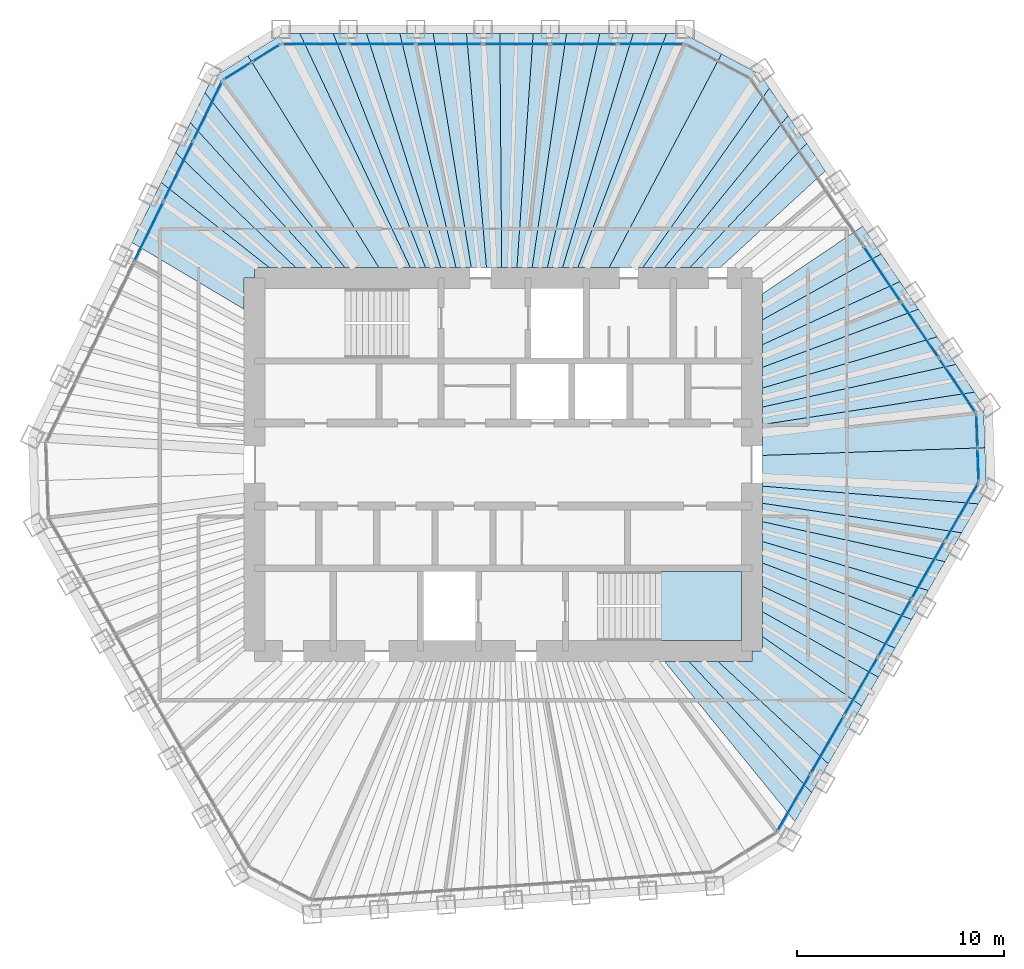
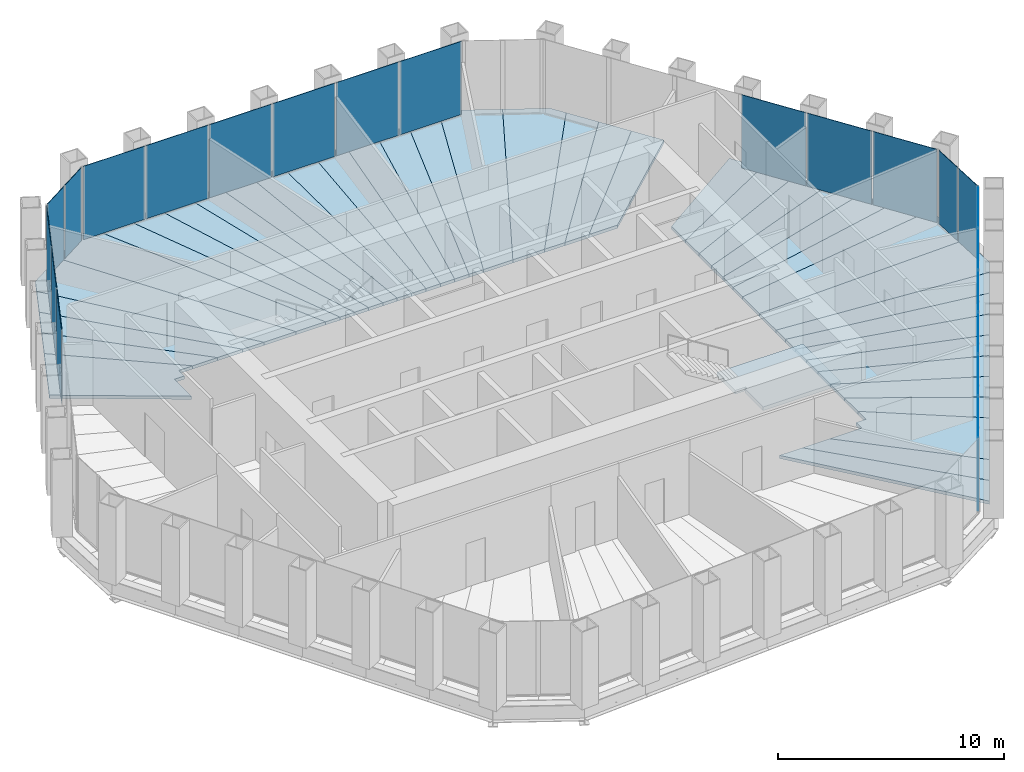
# One storey, part 10 of 14: 41 slabs, 22 plates, 7 elements without a shape of their own.
"""IFC4 building model written with IfcOpenShell, lengths in metres."""

import ifcopenshell
import ifcopenshell.guid

model = None  # the IFC model being written
_history = None  # IfcOwnerHistory: only IFC2X3 demands one
_inside = {}  # id of a spatial element -> (the spatial element, [elements in it])
_under = {}  # id of a project, library or spatial element -> (it, [spatial elements below it])
_declared = {}  # id of a project -> (the project, [libraries it declares])
_typed = {}  # id of a type object -> (the type object, [elements of that type])
_made_of = {}  # id of a material, layer set ... -> (it, [elements and type objects made of it])


def new_model(schema):
    """Start an empty IFC model of exactly this schema.

    Asked for "IFC4X3", IfcOpenShell would pick the latest addendum, in which some entities
    have other attributes; the version numbers below select the first issue.
    IFC2X3 requires an IfcOwnerHistory on every rooted entity: one is made here for all.
    """
    global model, _history
    if schema == "IFC4X3":
        model = ifcopenshell.file(schema_version=(4, 3, 0, 0))
    else:
        model = ifcopenshell.file(schema=schema)
    _inside.clear()
    _under.clear()
    _declared.clear()
    _typed.clear()
    _made_of.clear()
    _history = None
    if model.schema == "IFC2X3":
        org = make("IfcOrganization", Name="unknown")
        user = make(
            "IfcPersonAndOrganization",
            ThePerson=make("IfcPerson", FamilyName="unknown"),
            TheOrganization=org,
        )
        app = make(
            "IfcApplication",
            ApplicationDeveloper=org,
            Version="unknown",
            ApplicationFullName="unknown",
            ApplicationIdentifier="unknown",
        )
        _history = make(
            "IfcOwnerHistory",
            OwningUser=user,
            OwningApplication=app,
            ChangeAction="ADDED",
            CreationDate=0,
        )
    return model


def make(cls, **values):
    """One entity of the class cls with the attributes given. An attribute that is None is left unset."""
    return model.create_entity(
        cls, **{name: value for name, value in values.items() if value is not None}
    )


def rooted(cls, **values):
    """An entity with a GlobalId (a new one), such as an element, a storey or a relation."""
    return make(cls, GlobalId=ifcopenshell.guid.new(), OwnerHistory=_history, **values)


def si_unit(unit_type, name, prefix=None):
    """IfcSIUnit, for example si_unit("LENGTHUNIT", "METRE", prefix="MILLI")."""
    return make("IfcSIUnit", UnitType=unit_type, Prefix=prefix, Name=name)


def assignment(units):
    """IfcUnitAssignment: the units of a project."""
    return None if units is None else make("IfcUnitAssignment", Units=units)


def point(xyz):
    """IfcCartesianPoint."""
    return None if xyz is None else make("IfcCartesianPoint", Coordinates=xyz)


def direction(xyz):
    """IfcDirection."""
    return None if xyz is None else make("IfcDirection", DirectionRatios=xyz)


def frame(location, z_axis=None, x_axis=None):
    """IfcAxis2Placement3D, a coordinate frame: its origin and axes. An axis left out is left unset."""
    return make(
        "IfcAxis2Placement3D",
        Location=point(location),
        Axis=direction(z_axis),
        RefDirection=direction(x_axis),
    )


def frame_2d(location, x_axis=None):
    """IfcAxis2Placement2D, a coordinate frame in the plane: its origin and x axis."""
    return make(
        "IfcAxis2Placement2D", Location=point(location), RefDirection=direction(x_axis)
    )


def origin():
    """The frame at (0, 0, 0) with its axes left unset."""
    return frame((0.0, 0.0, 0.0))


def origin_2d():
    """The frame at (0, 0) in the plane with its x axis left unset."""
    return frame_2d((0.0, 0.0))


def place(relative_to, where):
    """IfcLocalPlacement: puts the frame where relative to a parent placement (None: the world)."""
    return make(
        "IfcLocalPlacement", PlacementRelTo=relative_to, RelativePlacement=where
    )


def context(
    kind, dimensions, precision=None, world=None, true_north=None, identifier=None
):
    """IfcGeometricRepresentationContext, for example the 3D "Model" context."""
    return make(
        "IfcGeometricRepresentationContext",
        ContextIdentifier=identifier,
        ContextType=kind,
        CoordinateSpaceDimension=dimensions,
        Precision=precision,
        WorldCoordinateSystem=world,
        TrueNorth=true_north,
    )


def subcontext(parent, identifier, kind, view, scale=None):
    """IfcGeometricRepresentationSubContext, for example "Body" below "Model"."""
    return make(
        "IfcGeometricRepresentationSubContext",
        ContextIdentifier=identifier,
        ContextType=kind,
        ParentContext=parent,
        TargetScale=scale,
        TargetView=view,
    )


def project(units=None, contexts=None):
    """IfcProject with its units and contexts."""
    return rooted(
        "IfcProject",
        Name="project",
        RepresentationContexts=contexts,
        UnitsInContext=assignment(units),
    )


def spatial(cls, under=None, at=None, **own):
    """A site, building, storey or space (cls), placed at a placement, below another one or the project."""
    s = rooted(cls, ObjectPlacement=at, **own)
    if under is not None:
        _under.setdefault(under.id(), (under, []))[1].append(s)
    return s


def polyline(points):
    """IfcPolyline through the points."""
    return make("IfcPolyline", Points=[point(p) for p in points])


def profile(cls, at=None, kind="AREA", **sizes):
    """A parametric profile (cls). Its sizes go by their IFC names, for example OverallWidth=200.0."""
    return make(cls, ProfileType=kind, Position=at, **sizes)


def rectangle(**sizes):
    """IfcRectangleProfileDef."""
    return profile("IfcRectangleProfileDef", **sizes)


def outline(outer, holes=None, kind="AREA"):
    """IfcArbitraryClosedProfileDef: a profile drawn as a closed curve; with holes, ...WithVoids."""
    if holes is None:
        return make("IfcArbitraryClosedProfileDef", ProfileType=kind, OuterCurve=outer)
    return make(
        "IfcArbitraryProfileDefWithVoids",
        ProfileType=kind,
        OuterCurve=outer,
        InnerCurves=holes,
    )


def extrude(swept, where, along, depth):
    """IfcExtrudedAreaSolid: the profile swept, set in the frame where, extruded along a direction by depth."""
    return make(
        "IfcExtrudedAreaSolid",
        SweptArea=swept,
        Position=where,
        ExtrudedDirection=direction(along),
        Depth=depth,
    )


def shape(context_of_items, identifier, shape_type, items):
    """IfcShapeRepresentation: the items that make up one representation, for example the "Body"."""
    return make(
        "IfcShapeRepresentation",
        ContextOfItems=context_of_items,
        RepresentationIdentifier=identifier,
        RepresentationType=shape_type,
        Items=items,
    )


def material(Name=None, Category=None):
    """IfcMaterial."""
    return make("IfcMaterial", Name=Name, Category=Category)


def layer(
    of_material, thickness, ventilated=None, Name=None, Category=None, Priority=None
):
    """IfcMaterialLayer: one layer of a wall or slab, of a material (None: an air gap)."""
    return make(
        "IfcMaterialLayer",
        Material=of_material,
        LayerThickness=thickness,
        IsVentilated=ventilated,
        Name=Name,
        Category=Category,
        Priority=Priority,
    )


def layer_set(layers, Name=None):
    """IfcMaterialLayerSet."""
    return make("IfcMaterialLayerSet", MaterialLayers=layers, LayerSetName=Name)


def made_of(thing, what):
    """Note that an element or type object is made of a material, layer set ...; save() writes the relation."""
    if what is not None:
        _made_of.setdefault(what.id(), (what, []))[1].append(thing)
    return thing


def type_object(cls, material=None, **own):
    """A type object (cls), such as IfcWallType, which elements share."""
    return made_of(rooted(cls, **own), material)


def element(
    cls,
    number,
    at=None,
    inside=None,
    cuts=None,
    type_object=None,
    material=None,
    context=None,
    identifier="Body",
    shape_type=None,
    held_by="IfcProductDefinitionShape",
    body=None,
    shapes=None,
    **own,
):
    """One element of the class cls, such as IfcWall. Its Tag is "e" and its number.

    at: its placement. inside: the storey or other place that contains it. cuts: it is an
    opening in that element (IfcRelVoidsElement). A single representation is given by context,
    identifier, shape_type and body (its items); several are given by shapes. held_by: the class
    of the entity that holds the representations. save() writes the other relations.
    """
    e = rooted(cls, Tag="e%d" % number, ObjectPlacement=at, **own)
    if body is not None:
        shapes = [shape(context, identifier, shape_type, body)]
    if shapes is not None:
        e.Representation = make(held_by, Representations=shapes)
    if inside is not None:
        _inside.setdefault(inside.id(), (inside, []))[1].append(e)
    if cuts is not None:
        rooted(
            "IfcRelVoidsElement", RelatingBuildingElement=cuts, RelatedOpeningElement=e
        )
    if type_object is not None:
        _typed.setdefault(type_object.id(), (type_object, []))[1].append(e)
    return made_of(e, material)


def aggregate(whole, parts):
    """IfcRelAggregates: a whole, such as a stair, and the parts it consists of."""
    return rooted("IfcRelAggregates", RelatingObject=whole, RelatedObjects=parts)


def save(model, path):
    """Write the relations noted so far, then the file.

    IfcRelAggregates (storeys below a building ...), IfcRelContainedInSpatialStructure (elements
    in a storey), IfcRelDefinesByType, IfcRelAssociatesMaterial and IfcRelDeclares: one each for
    every whole, place, type object, material and project.
    """
    for whole, parts in _under.values():
        aggregate(whole, parts)
    for where, things in _inside.values():
        rooted(
            "IfcRelContainedInSpatialStructure",
            RelatedElements=things,
            RelatingStructure=where,
        )
    for kind, things in _typed.values():
        rooted("IfcRelDefinesByType", RelatedObjects=things, RelatingType=kind)
    for what, things in _made_of.values():
        rooted("IfcRelAssociatesMaterial", RelatedObjects=things, RelatingMaterial=what)
    for by, libraries in _declared.values():
        rooted("IfcRelDeclares", RelatingContext=by, RelatedDefinitions=libraries)
    model.write(path)


model = new_model("IFC4")

# Units and contexts
model_context = context("Model", 3, precision=1e-05, world=origin(), true_north=direction((0.0, 1.0)))
body_context = subcontext(model_context, "Body", "Model", "MODEL_VIEW")
ifc_project = project(units=[si_unit("LENGTHUNIT", "METRE"), si_unit("AREAUNIT", "SQUARE_METRE"), si_unit("VOLUMEUNIT", "CUBIC_METRE"), si_unit("PLANEANGLEUNIT", "RADIAN"), si_unit("MASSUNIT", "GRAM", prefix="KILO")], contexts=[model_context])

# Site, building, storey
site_placement = place(None, origin())
site = spatial("IfcSite", under=ifc_project, at=site_placement, CompositionType="ELEMENT")
building_placement = place(site_placement, origin())
building = spatial("IfcBuilding", under=site, at=building_placement, Name="Qingtian Harvest Tower", CompositionType="ELEMENT")
storey_placement = place(building_placement, frame((0.0, 0.0, 278.800048828125)))
storey = spatial("IfcBuildingStorey", under=building, at=storey_placement, Name="L61", CompositionType="ELEMENT", Elevation=278.800048828125)

# Slabs
ifc_material_1 = material(Name="Concrete fc' 35 MPa", Category="concrete")
ifc_layer_1 = layer(ifc_material_1, 0.169921875)
ifc_layer_set_1 = layer_set([ifc_layer_1], Name="Composite floor slab FS17 170")
slab_type_1 = type_object("IfcSlabType", Name="Composite floor slab FS17 170", PredefinedType="FLOOR", material=ifc_layer_set_1)
slab_1_placement = place(storey_placement, frame((0.0, 0.0, -0.170166015625)))
element("IfcSlab", 1, at=slab_1_placement, inside=storey, type_object=slab_type_1, Name="Floor slab L61 panel D28", PredefinedType="FLOOR", context=body_context, shape_type="SweptSolid", body=[
    extrude(outline(polyline([(8.957275390625, -9.5), (14.88232421875, -15.8330078125), (14.077880859375, -17.2265625), (7.78515625, -9.5), (8.957275390625, -9.5)])), origin(), (0.0, 0.0, 1.0), 0.170166015625),
])
slab_2_placement = place(storey_placement, frame((0.0, 0.0, -0.170166015625)))
element("IfcSlab", 2, at=slab_2_placement, inside=storey, type_object=slab_type_1, Name="Floor slab L61 panel D29", PredefinedType="FLOOR", context=body_context, shape_type="SweptSolid", body=[
    extrude(outline(polyline([(10.35693359375, -9.5), (15.68701171875, -14.439453125), (14.88232421875, -15.8330078125), (8.957275390625, -9.5), (10.35693359375, -9.5)])), origin(), (0.0, 0.0, 1.0), 0.170166015625),
])
slab_3_placement = place(storey_placement, frame((0.0, 0.0, -0.170166015625)))
element("IfcSlab", 3, at=slab_3_placement, inside=storey, type_object=slab_type_1, Name="Floor slab L61 panel D31", PredefinedType="FLOOR", context=body_context, shape_type="SweptSolid", body=[
    extrude(outline(polyline([(12.5, -8.29443359375), (17.297119140625, -11.650390625), (15.68701171875, -14.439453125), (10.35693359375, -9.5), (12.0, -9.5), (12.0, -9.0), (12.5, -9.0), (12.5, -8.29443359375)])), origin(), (0.0, 0.0, 1.0), 0.170166015625),
])
slab_4_placement = place(storey_placement, frame((0.0, 0.0, -0.170166015625)))
element("IfcSlab", 4, at=slab_4_placement, inside=storey, type_object=slab_type_1, Name="Floor slab L61 panel D32", PredefinedType="FLOOR", context=body_context, shape_type="SweptSolid", body=[
    extrude(outline(polyline([(12.5, -7.099853515625), (18.099853515625, -10.26025390625), (17.297119140625, -11.650390625), (12.5, -8.29443359375), (12.5, -7.099853515625)])), origin(), (0.0, 0.0, 1.0), 0.170166015625),
])
slab_5_placement = place(storey_placement, frame((0.0, 0.0, -0.170166015625)))
element("IfcSlab", 5, at=slab_5_placement, inside=storey, type_object=slab_type_1, Name="Floor slab L61 panel D33", PredefinedType="FLOOR", context=body_context, shape_type="SweptSolid", body=[
    extrude(outline(polyline([(12.5, -5.875244140625), (18.904296875, -8.86669921875), (18.099853515625, -10.26025390625), (12.5, -7.099853515625), (12.5, -5.875244140625)])), origin(), (0.0, 0.0, 1.0), 0.170166015625),
])
slab_6_placement = place(storey_placement, frame((0.0, 0.0, -0.170166015625)))
element("IfcSlab", 6, at=slab_6_placement, inside=storey, type_object=slab_type_1, Name="Floor slab L61 panel D34", PredefinedType="FLOOR", context=body_context, shape_type="SweptSolid", body=[
    extrude(outline(polyline([(12.5, -4.750732421875), (19.708740234375, -7.473388671875), (18.904296875, -8.86669921875), (12.5, -5.875244140625), (12.5, -4.750732421875)])), origin(), (0.0, 0.0, 1.0), 0.170166015625),
])
slab_7_placement = place(storey_placement, frame((0.0, 0.0, -0.170166015625)))
element("IfcSlab", 7, at=slab_7_placement, inside=storey, type_object=slab_type_1, Name="Floor slab L61 panel D35", PredefinedType="FLOOR", context=body_context, shape_type="SweptSolid", body=[
    extrude(outline(polyline([(12.5, -3.714599609375), (20.51318359375, -6.080078125), (19.708740234375, -7.473388671875), (12.5, -4.750732421875), (12.5, -3.714599609375)])), origin(), (0.0, 0.0, 1.0), 0.170166015625),
])
slab_8_placement = place(storey_placement, frame((0.0, 0.0, -0.170166015625)))
element("IfcSlab", 8, at=slab_8_placement, inside=storey, type_object=slab_type_1, Name="Floor slab L61 panel D36", PredefinedType="FLOOR", context=body_context, shape_type="SweptSolid", body=[
    extrude(outline(polyline([(12.5, -2.756591796875), (21.317626953125, -4.6865234375), (20.51318359375, -6.080078125), (12.5, -3.714599609375), (12.5, -2.756591796875)])), origin(), (0.0, 0.0, 1.0), 0.170166015625),
])
slab_9_placement = place(storey_placement, frame((0.0, 0.0, -0.170166015625)))
element("IfcSlab", 9, at=slab_9_placement, inside=storey, type_object=slab_type_1, Name="Floor slab L61 panel D37", PredefinedType="FLOOR", context=body_context, shape_type="SweptSolid", body=[
    extrude(outline(polyline([(12.5, -1.868408203125), (22.122314453125, -3.293212890625), (21.317626953125, -4.6865234375), (12.5, -2.756591796875), (12.5, -1.868408203125)])), origin(), (0.0, 0.0, 1.0), 0.170166015625),
])
slab_10_placement = place(storey_placement, frame((0.0, 0.0, -0.170166015625)))
element("IfcSlab", 10, at=slab_10_placement, inside=storey, type_object=slab_type_1, Name="Floor slab L61 panel D38", PredefinedType="FLOOR", context=body_context, shape_type="SweptSolid", body=[
    extrude(outline(polyline([(12.5, -1.042724609375), (22.9267578125, -1.89990234375), (22.122314453125, -3.293212890625), (12.5, -1.868408203125), (12.5, -1.042724609375)])), origin(), (0.0, 0.0, 1.0), 0.170166015625),
])
slab_11_placement = place(storey_placement, frame((0.0, 0.0, -0.170166015625)))
element("IfcSlab", 11, at=slab_11_placement, inside=storey, type_object=slab_type_1, Name="Floor slab L61 panel D39", PredefinedType="FLOOR", context=body_context, shape_type="SweptSolid", body=[
    extrude(outline(polyline([(12.5, -1.042724609375), (12.5, 0.439697265625), (23.246826171875, 0.811767578125), (23.31787109375, -1.22216796875), (22.9267578125, -1.89990234375), (12.5, -1.042724609375)])), origin(), (0.0, 0.0, 1.0), 0.170166015625),
])
slab_12_placement = place(storey_placement, frame((0.0, 0.0, -0.170166015625)))
element("IfcSlab", 12, at=slab_12_placement, inside=storey, type_object=slab_type_1, Name="Floor slab L61 panel D40", PredefinedType="FLOOR", context=body_context, shape_type="SweptSolid", body=[
    extrude(outline(polyline([(12.5, 0.439697265625), (12.5, 1.928955078125), (22.73828125, 3.494384765625), (23.17578125, 2.845947265625), (23.246826171875, 0.811767578125), (12.5, 0.439697265625)])), origin(), (0.0, 0.0, 1.0), 0.170166015625),
])
slab_13_placement = place(storey_placement, frame((0.0, 0.0, -0.170166015625)))
element("IfcSlab", 13, at=slab_13_placement, inside=storey, type_object=slab_type_1, Name="Floor slab L61 panel D41", PredefinedType="FLOOR", context=body_context, shape_type="SweptSolid", body=[
    extrude(outline(polyline([(12.5, 2.772705078125), (21.838623046875, 4.828369140625), (22.73828125, 3.494384765625), (12.5, 1.928955078125), (12.5, 2.772705078125)])), origin(), (0.0, 0.0, 1.0), 0.170166015625),
])
slab_14_placement = place(storey_placement, frame((0.0, 0.0, -0.170166015625)))
element("IfcSlab", 14, at=slab_14_placement, inside=storey, type_object=slab_type_1, Name="Floor slab L61 panel D42", PredefinedType="FLOOR", context=body_context, shape_type="SweptSolid", body=[
    extrude(outline(polyline([(12.5, 3.688720703125), (20.93896484375, 6.162353515625), (21.838623046875, 4.828369140625), (12.5, 2.772705078125), (12.5, 3.688720703125)])), origin(), (0.0, 0.0, 1.0), 0.170166015625),
])
slab_15_placement = place(storey_placement, frame((0.0, 0.0, -0.170166015625)))
element("IfcSlab", 15, at=slab_15_placement, inside=storey, type_object=slab_type_1, Name="Floor slab L61 panel D43", PredefinedType="FLOOR", context=body_context, shape_type="SweptSolid", body=[
    extrude(outline(polyline([(12.5, 4.6875), (20.0390625, 7.49609375), (20.93896484375, 6.162353515625), (12.5, 3.688720703125), (12.5, 4.6875)])), origin(), (0.0, 0.0, 1.0), 0.170166015625),
])
slab_16_placement = place(storey_placement, frame((0.0, 0.0, -0.170166015625)))
element("IfcSlab", 16, at=slab_16_placement, inside=storey, type_object=slab_type_1, Name="Floor slab L61 panel D44", PredefinedType="FLOOR", context=body_context, shape_type="SweptSolid", body=[
    extrude(outline(polyline([(12.5, 5.780029296875), (19.139404296875, 8.830078125), (20.0390625, 7.49609375), (12.5, 4.6875), (12.5, 5.780029296875)])), origin(), (0.0, 0.0, 1.0), 0.170166015625),
])
slab_17_placement = place(storey_placement, frame((0.0, 0.0, -0.170166015625)))
element("IfcSlab", 17, at=slab_17_placement, inside=storey, type_object=slab_type_1, Name="Floor slab L61 panel D45", PredefinedType="FLOOR", context=body_context, shape_type="SweptSolid", body=[
    extrude(outline(polyline([(12.5, 6.980712890625), (18.23974609375, 10.1640625), (19.139404296875, 8.830078125), (12.5, 5.780029296875), (12.5, 6.980712890625)])), origin(), (0.0, 0.0, 1.0), 0.170166015625),
])
slab_18_placement = place(storey_placement, frame((0.0, 0.0, -0.170166015625)))
element("IfcSlab", 18, at=slab_18_placement, inside=storey, type_object=slab_type_1, Name="Floor slab L61 panel D46", PredefinedType="FLOOR", context=body_context, shape_type="SweptSolid", body=[
    extrude(outline(polyline([(12.5, 8.22998046875), (17.341064453125, 11.496337890625), (18.23974609375, 10.1640625), (12.5, 6.980712890625), (12.5, 8.22998046875)])), origin(), (0.0, 0.0, 1.0), 0.170166015625),
])
slab_19_placement = place(storey_placement, frame((0.0, 0.0, -0.170166015625)))
element("IfcSlab", 19, at=slab_19_placement, inside=storey, type_object=slab_type_1, Name="Floor slab L61 panel D49", PredefinedType="FLOOR", context=body_context, shape_type="SweptSolid", body=[
    extrude(outline(polyline([(9.002685546875, 9.5), (14.641357421875, 15.498779296875), (15.541259765625, 14.16455078125), (10.4599609375, 9.5), (9.002685546875, 9.5)])), origin(), (0.0, 0.0, 1.0), 0.170166015625),
])
slab_20_placement = place(storey_placement, frame((0.0, 0.0, -0.170166015625)))
element("IfcSlab", 20, at=slab_20_placement, inside=storey, type_object=slab_type_1, Name="Floor slab L61 panel D50", PredefinedType="FLOOR", context=body_context, shape_type="SweptSolid", body=[
    extrude(outline(polyline([(7.77734375, 9.5), (13.74169921875, 16.832763671875), (14.641357421875, 15.498779296875), (9.002685546875, 9.5), (7.77734375, 9.5)])), origin(), (0.0, 0.0, 1.0), 0.170166015625),
])
slab_21_placement = place(storey_placement, frame((0.0, 0.0, -0.170166015625)))
element("IfcSlab", 21, at=slab_21_placement, inside=storey, type_object=slab_type_1, Name="Floor slab L61 panel D51", PredefinedType="FLOOR", context=body_context, shape_type="SweptSolid", body=[
    extrude(outline(polyline([(6.73291015625, 9.5), (12.841796875, 18.16650390625), (13.74169921875, 16.832763671875), (7.77734375, 9.5), (6.73291015625, 9.5)])), origin(), (0.0, 0.0, 1.0), 0.170166015625),
])
slab_22_placement = place(storey_placement, frame((0.0, 0.0, -0.170166015625)))
element("IfcSlab", 22, at=slab_22_placement, inside=storey, type_object=slab_type_1, Name="Floor slab L61 panel D52", PredefinedType="FLOOR", context=body_context, shape_type="SweptSolid", body=[
    extrude(outline(polyline([(6.73291015625, 9.5), (5.108154296875, 9.5), (10.5341796875, 19.809814453125), (12.404296875, 18.8154296875), (12.841796875, 18.16650390625), (6.73291015625, 9.5)])), origin(), (0.0, 0.0, 1.0), 0.170166015625),
])
slab_23_placement = place(storey_placement, frame((0.0, 0.0, -0.170166015625)))
element("IfcSlab", 23, at=slab_23_placement, inside=storey, type_object=slab_type_1, Name="Floor slab L61 panel D53", PredefinedType="FLOOR", context=body_context, shape_type="SweptSolid", body=[
    extrude(outline(polyline([(3.59814453125, 9.5), (7.880126953125, 20.804931640625), (8.662109375, 20.804931640625), (10.5341796875, 19.809814453125), (5.108154296875, 9.5), (3.59814453125, 9.5)])), origin(), (0.0, 0.0, 1.0), 0.170166015625),
])
slab_24_placement = place(storey_placement, frame((0.0, 0.0, -0.170166015625)))
element("IfcSlab", 24, at=slab_24_placement, inside=storey, type_object=slab_type_1, Name="Floor slab L61 panel D54", PredefinedType="FLOOR", context=body_context, shape_type="SweptSolid", body=[
    extrude(outline(polyline([(2.863525390625, 9.5), (6.27099609375, 20.804931640625), (7.880126953125, 20.804931640625), (3.59814453125, 9.5), (2.863525390625, 9.5)])), origin(), (0.0, 0.0, 1.0), 0.170166015625),
])
slab_25_placement = place(storey_placement, frame((0.0, 0.0, -0.170166015625)))
element("IfcSlab", 25, at=slab_25_placement, inside=storey, type_object=slab_type_1, Name="Floor slab L61 panel D55", PredefinedType="FLOOR", context=body_context, shape_type="SweptSolid", body=[
    extrude(outline(polyline([(2.12890625, 9.5), (4.662109375, 20.804931640625), (6.27099609375, 20.804931640625), (2.863525390625, 9.5), (2.12890625, 9.5)])), origin(), (0.0, 0.0, 1.0), 0.170166015625),
])
slab_26_placement = place(storey_placement, frame((0.0, 0.0, -0.170166015625)))
element("IfcSlab", 26, at=slab_26_placement, inside=storey, type_object=slab_type_1, Name="Floor slab L61 panel D56", PredefinedType="FLOOR", context=body_context, shape_type="SweptSolid", body=[
    extrude(outline(polyline([(1.394287109375, 9.5), (3.05322265625, 20.804931640625), (4.662109375, 20.804931640625), (2.12890625, 9.5), (1.394287109375, 9.5)])), origin(), (0.0, 0.0, 1.0), 0.170166015625),
])
slab_27_placement = place(storey_placement, frame((0.0, 0.0, -0.170166015625)))
element("IfcSlab", 27, at=slab_27_placement, inside=storey, type_object=slab_type_1, Name="Floor slab L61 panel D57", PredefinedType="FLOOR", context=body_context, shape_type="SweptSolid", body=[
    extrude(outline(polyline([(0.659423828125, 9.5), (1.4443359375, 20.804931640625), (3.05322265625, 20.804931640625), (1.394287109375, 9.5), (0.659423828125, 9.5)])), origin(), (0.0, 0.0, 1.0), 0.170166015625),
])
slab_28_placement = place(storey_placement, frame((0.0, 0.0, -0.170166015625)))
element("IfcSlab", 28, at=slab_28_placement, inside=storey, type_object=slab_type_1, Name="Floor slab L61 panel D58", PredefinedType="FLOOR", context=body_context, shape_type="SweptSolid", body=[
    extrude(outline(polyline([(-0.0751953125, 9.5), (-0.16455078125, 20.804931640625), (1.4443359375, 20.804931640625), (0.659423828125, 9.5), (-0.0751953125, 9.5)])), origin(), (0.0, 0.0, 1.0), 0.170166015625),
])
slab_29_placement = place(storey_placement, frame((0.0, 0.0, -0.170166015625)))
element("IfcSlab", 29, at=slab_29_placement, inside=storey, type_object=slab_type_1, Name="Floor slab L61 panel D59", PredefinedType="FLOOR", context=body_context, shape_type="SweptSolid", body=[
    extrude(outline(polyline([(-0.809814453125, 9.5), (-1.773681640625, 20.804931640625), (-0.16455078125, 20.804931640625), (-0.0751953125, 9.5), (-0.809814453125, 9.5)])), origin(), (0.0, 0.0, 1.0), 0.170166015625),
])
slab_30_placement = place(storey_placement, frame((0.0, 0.0, -0.170166015625)))
element("IfcSlab", 30, at=slab_30_placement, inside=storey, type_object=slab_type_1, Name="Floor slab L61 panel D60", PredefinedType="FLOOR", context=body_context, shape_type="SweptSolid", body=[
    extrude(outline(polyline([(-1.54443359375, 9.5), (-3.382568359375, 20.804931640625), (-1.773681640625, 20.804931640625), (-0.809814453125, 9.5), (-1.54443359375, 9.5)])), origin(), (0.0, 0.0, 1.0), 0.170166015625),
])
slab_31_placement = place(storey_placement, frame((0.0, 0.0, -0.170166015625)))
element("IfcSlab", 31, at=slab_31_placement, inside=storey, type_object=slab_type_1, Name="Floor slab L61 panel D61", PredefinedType="FLOOR", context=body_context, shape_type="SweptSolid", body=[
    extrude(outline(polyline([(-2.279296875, 9.5), (-4.991455078125, 20.804931640625), (-3.382568359375, 20.804931640625), (-1.54443359375, 9.5), (-2.279296875, 9.5)])), origin(), (0.0, 0.0, 1.0), 0.170166015625),
])
slab_32_placement = place(storey_placement, frame((0.0, 0.0, -0.170166015625)))
element("IfcSlab", 32, at=slab_32_placement, inside=storey, type_object=slab_type_1, Name="Floor slab L61 panel D62", PredefinedType="FLOOR", context=body_context, shape_type="SweptSolid", body=[
    extrude(outline(polyline([(-3.013916015625, 9.5), (-6.600341796875, 20.804931640625), (-4.991455078125, 20.804931640625), (-2.279296875, 9.5), (-3.013916015625, 9.5)])), origin(), (0.0, 0.0, 1.0), 0.170166015625),
])
slab_33_placement = place(storey_placement, frame((0.0, 0.0, -0.170166015625)))
element("IfcSlab", 33, at=slab_33_placement, inside=storey, type_object=slab_type_1, Name="Floor slab L61 panel D63", PredefinedType="FLOOR", context=body_context, shape_type="SweptSolid", body=[
    extrude(outline(polyline([(-3.74853515625, 9.5), (-8.209228515625, 20.804931640625), (-6.600341796875, 20.804931640625), (-3.013916015625, 9.5), (-3.74853515625, 9.5)])), origin(), (0.0, 0.0, 1.0), 0.170166015625),
])
slab_34_placement = place(storey_placement, frame((0.0, 0.0, -0.170166015625)))
element("IfcSlab", 34, at=slab_34_placement, inside=storey, type_object=slab_type_1, Name="Floor slab L61 panel D64", PredefinedType="FLOOR", context=body_context, shape_type="SweptSolid", body=[
    extrude(outline(polyline([(-4.483154296875, 9.5), (-9.818115234375, 20.804931640625), (-8.209228515625, 20.804931640625), (-3.74853515625, 9.5), (-4.483154296875, 9.5)])), origin(), (0.0, 0.0, 1.0), 0.170166015625),
])
slab_35_placement = place(storey_placement, frame((0.0, 0.0, -0.170166015625)))
element("IfcSlab", 35, at=slab_35_placement, inside=storey, type_object=slab_type_1, Name="Floor slab L61 panel D65", PredefinedType="FLOOR", context=body_context, shape_type="SweptSolid", body=[
    extrude(outline(polyline([(-4.483154296875, 9.5), (-5.998291015625, 9.5), (-12.327392578125, 19.725830078125), (-10.600341796875, 20.804931640625), (-9.818115234375, 20.804931640625), (-4.483154296875, 9.5)])), origin(), (0.0, 0.0, 1.0), 0.170166015625),
])
slab_36_placement = place(storey_placement, frame((0.0, 0.0, -0.170166015625)))
element("IfcSlab", 36, at=slab_36_placement, inside=storey, type_object=slab_type_1, Name="Floor slab L61 panel D66", PredefinedType="FLOOR", context=body_context, shape_type="SweptSolid", body=[
    extrude(outline(polyline([(-5.998291015625, 9.5), (-7.640869140625, 9.5), (-14.3955078125, 17.944580078125), (-14.052490234375, 18.64794921875), (-12.327392578125, 19.725830078125), (-5.998291015625, 9.5)])), origin(), (0.0, 0.0, 1.0), 0.170166015625),
])
slab_37_placement = place(storey_placement, frame((0.0, 0.0, -0.170166015625)))
element("IfcSlab", 37, at=slab_37_placement, inside=storey, type_object=slab_type_1, Name="Floor slab L61 panel D67", PredefinedType="FLOOR", context=body_context, shape_type="SweptSolid", body=[
    extrude(outline(polyline([(-8.720703125, 9.5), (-15.100830078125, 16.498291015625), (-14.3955078125, 17.944580078125), (-7.640869140625, 9.5), (-8.720703125, 9.5)])), origin(), (0.0, 0.0, 1.0), 0.170166015625),
])
slab_38_placement = place(storey_placement, frame((0.0, 0.0, -0.170166015625)))
element("IfcSlab", 38, at=slab_38_placement, inside=storey, type_object=slab_type_1, Name="Floor slab L61 panel D68", PredefinedType="FLOOR", context=body_context, shape_type="SweptSolid", body=[
    extrude(outline(polyline([(-10.00927734375, 9.5), (-15.80615234375, 15.05224609375), (-15.100830078125, 16.498291015625), (-8.720703125, 9.5), (-10.00927734375, 9.5)])), origin(), (0.0, 0.0, 1.0), 0.170166015625),
])
slab_39_placement = place(storey_placement, frame((0.0, 0.0, -0.170166015625)))
element("IfcSlab", 39, at=slab_39_placement, inside=storey, type_object=slab_type_1, Name="Floor slab L61 panel D69", PredefinedType="FLOOR", context=body_context, shape_type="SweptSolid", body=[
    extrude(outline(polyline([(-11.28125, 9.5), (-16.50927734375, 13.61083984375), (-15.80615234375, 15.05224609375), (-10.00927734375, 9.5), (-11.28125, 9.5)])), origin(), (0.0, 0.0, 1.0), 0.170166015625),
])
slab_40_placement = place(storey_placement, frame((0.0, 0.0, -0.170166015625)))
element("IfcSlab", 40, at=slab_40_placement, inside=storey, type_object=slab_type_1, Name="Floor slab L61 panel D70", PredefinedType="FLOOR", context=body_context, shape_type="SweptSolid", body=[
    extrude(outline(polyline([(-12.0, 9.0), (-12.5, 9.0), (-12.5, 7.48583984375), (-17.921875, 10.714599609375), (-16.50927734375, 13.61083984375), (-11.28125, 9.5), (-12.0, 9.5), (-12.0, 9.0)])), origin(), (0.0, 0.0, 1.0), 0.170166015625),
])

# Curtain wall, plates
ifc_material_2 = material(Name="Bronze-anodised aluminium curtain wall", Category="aluminium")
curtain_wall_type = type_object("IfcCurtainWallType", Name="Curtain wall CW5 upper office", PredefinedType="USERDEFINED", material=ifc_material_2)
curtain_wall_1_placement = place(storey_placement, origin())
curtain_wall_1 = element("IfcCurtainWall", 41, at=curtain_wall_1_placement, inside=storey, type_object=curtain_wall_type, Name="Curtain wall CW5 L61 N0-5", ObjectType="RECESSED CURTAIN WALL", PredefinedType="USERDEFINED")
ifc_material_3 = material(Name="Bronze-tinted laminated insulating glass", Category="glass")
ifc_layer_2 = layer(ifc_material_3, 0.030029296875)
ifc_layer_set_2 = layer_set([ifc_layer_2], Name="Glazed panel CWP tinted IGU")
plate_type = type_object("IfcPlateType", Name="Glazed panel CWP tinted IGU", PredefinedType="CURTAIN_PANEL", material=ifc_layer_set_2)
plate_1_placement = place(storey_placement, frame((-9.08203125, 20.300048828125, 0.06494140625), z_axis=(0.0, 0.0, 1.0), x_axis=(1.0, 0.0, 0.0)))
plate_1 = element("IfcPlate", 42, at=plate_1_placement, type_object=plate_type, Name="CW5 panel 1.1", PredefinedType="CURTAIN_PANEL", context=body_context, shape_type="SweptSolid", body=[
    extrude(rectangle(XDim=3.150634765625, YDim=0.030029296875, at=origin_2d()), origin(), (0.0, 0.0, 1.0), 3.965087890625),
])
plate_2_placement = place(storey_placement, frame((-5.85009765625, 20.300048828125, 0.06494140625), z_axis=(0.0, 0.0, 1.0), x_axis=(1.0, 0.0, 0.0)))
plate_2 = element("IfcPlate", 43, at=plate_2_placement, type_object=plate_type, Name="CW5 panel 2.1", PredefinedType="CURTAIN_PANEL", context=body_context, shape_type="SweptSolid", body=[
    extrude(rectangle(XDim=3.18310546875, YDim=0.030029296875, at=origin_2d()), origin(), (0.0, 0.0, 1.0), 3.965087890625),
])
plate_3_placement = place(storey_placement, frame((-2.602294921875, 20.300048828125, 0.06494140625), z_axis=(0.0, 0.0, 1.0), x_axis=(1.0, 0.0, 0.0)))
plate_3 = element("IfcPlate", 44, at=plate_3_placement, type_object=plate_type, Name="CW5 panel 3.1", PredefinedType="CURTAIN_PANEL", context=body_context, shape_type="SweptSolid", body=[
    extrude(rectangle(XDim=3.18310546875, YDim=0.030029296875, at=origin_2d()), origin(), (0.0, 0.0, 1.0), 3.965087890625),
])
plate_4_placement = place(storey_placement, frame((0.645751953125, 20.300048828125, 0.06494140625), z_axis=(0.0, 0.0, 1.0), x_axis=(1.0, 0.0, 0.0)))
plate_4 = element("IfcPlate", 45, at=plate_4_placement, type_object=plate_type, Name="CW5 panel 4.1", PredefinedType="CURTAIN_PANEL", context=body_context, shape_type="SweptSolid", body=[
    extrude(rectangle(XDim=3.18310546875, YDim=0.030029296875, at=origin_2d()), origin(), (0.0, 0.0, 1.0), 3.965087890625),
])
plate_5_placement = place(storey_placement, frame((3.893798828125, 20.300048828125, 0.06494140625), z_axis=(0.0, 0.0, 1.0), x_axis=(1.0, 0.0, 0.0)))
plate_5 = element("IfcPlate", 46, at=plate_5_placement, type_object=plate_type, Name="CW5 panel 5.1", PredefinedType="CURTAIN_PANEL", context=body_context, shape_type="SweptSolid", body=[
    extrude(rectangle(XDim=3.18310546875, YDim=0.030029296875, at=origin_2d()), origin(), (0.0, 0.0, 1.0), 3.965087890625),
])
plate_6_placement = place(storey_placement, frame((7.125732421875, 20.300048828125, 0.06494140625), z_axis=(0.0, 0.0, 1.0), x_axis=(1.0, 0.0, 0.0)))
plate_6 = element("IfcPlate", 47, at=plate_6_placement, type_object=plate_type, Name="CW5 panel 6.1", PredefinedType="CURTAIN_PANEL", context=body_context, shape_type="SweptSolid", body=[
    extrude(rectangle(XDim=3.150634765625, YDim=0.030029296875, at=origin_2d()), origin(), (0.0, 0.0, 1.0), 3.965087890625),
])
aggregate(curtain_wall_1, [plate_1, plate_2, plate_3, plate_4, plate_5, plate_6])

curtain_wall_2_placement = place(storey_placement, origin())
curtain_wall_2 = element("IfcCurtainWall", 48, at=curtain_wall_2_placement, inside=storey, type_object=curtain_wall_type, Name="Curtain wall CW5 L61 NE0-5", ObjectType="RECESSED CURTAIN WALL", PredefinedType="USERDEFINED")
plate_7_placement = place(storey_placement, frame((18.28466796875, 9.1943359375, 0.06494140625), z_axis=(0.0, 0.0, 1.0), x_axis=(0.559192903471, -0.829037572555, 0.0)))
plate_7 = element("IfcPlate", 49, at=plate_7_placement, type_object=plate_type, Name="CW5 panel 4.1", PredefinedType="CURTAIN_PANEL", context=body_context, shape_type="SweptSolid", body=[
    extrude(rectangle(XDim=3.18310546875, YDim=0.030029296875, at=origin_2d()), origin(), (0.0, 0.0, 1.0), 3.965087890625),
])
plate_8_placement = place(storey_placement, frame((20.100830078125, 6.50146484375, 0.06494140625), z_axis=(0.0, 0.0, 1.0), x_axis=(0.559192903471, -0.829037572555, 0.0)))
plate_8 = element("IfcPlate", 50, at=plate_8_placement, type_object=plate_type, Name="CW5 panel 5.1", PredefinedType="CURTAIN_PANEL", context=body_context, shape_type="SweptSolid", body=[
    extrude(rectangle(XDim=3.18310546875, YDim=0.030029296875, at=origin_2d()), origin(), (0.0, 0.0, 1.0), 3.965087890625),
])
plate_9_placement = place(storey_placement, frame((21.907958984375, 3.822265625, 0.06494140625), z_axis=(0.0, 0.0, 1.0), x_axis=(0.559192903471, -0.829037572555, 0.0)))
plate_9 = element("IfcPlate", 51, at=plate_9_placement, type_object=plate_type, Name="CW5 panel 6.1", PredefinedType="CURTAIN_PANEL", context=body_context, shape_type="SweptSolid", body=[
    extrude(rectangle(XDim=3.150634765625, YDim=0.030029296875, at=origin_2d()), origin(), (0.0, 0.0, 1.0), 3.965087890625),
])
aggregate(curtain_wall_2, [plate_7, plate_8, plate_9])

curtain_wall_3_placement = place(storey_placement, origin())
curtain_wall_3 = element("IfcCurtainWall", 52, at=curtain_wall_3_placement, inside=storey, type_object=curtain_wall_type, Name="Curtain wall CW5 L61 NEC", ObjectType="RECESSED CURTAIN WALL", PredefinedType="USERDEFINED")
plate_10_placement = place(storey_placement, frame((22.85498046875, 1.614501953125, 0.06494140625), z_axis=(0.0, 0.0, 1.0), x_axis=(0.034899496703, -0.999390827019, 0.0)))
plate_10 = element("IfcPlate", 53, at=plate_10_placement, type_object=plate_type, Name="CW5 panel 1.1", PredefinedType="CURTAIN_PANEL", context=body_context, shape_type="SweptSolid", body=[
    extrude(rectangle(XDim=1.56689453125, YDim=0.030029296875, at=origin_2d()), origin(), (0.0, 0.0, 1.0), 3.965087890625),
])
plate_11_placement = place(storey_placement, frame((22.911865234375, -0.016357421875, 0.06494140625), z_axis=(0.0, 0.0, 1.0), x_axis=(0.034899496703, -0.999390827019, 0.0)))
plate_11 = element("IfcPlate", 54, at=plate_11_placement, type_object=plate_type, Name="CW5 panel 2.1", PredefinedType="CURTAIN_PANEL", context=body_context, shape_type="SweptSolid", body=[
    extrude(rectangle(XDim=1.56689453125, YDim=0.030029296875, at=origin_2d()), origin(), (0.0, 0.0, 1.0), 3.965087890625),
])
aggregate(curtain_wall_3, [plate_10, plate_11])

curtain_wall_4_placement = place(storey_placement, origin())
curtain_wall_4 = element("IfcCurtainWall", 55, at=curtain_wall_4_placement, inside=storey, type_object=curtain_wall_type, Name="Curtain wall CW5 L61 SE0-5", ObjectType="RECESSED CURTAIN WALL", PredefinedType="USERDEFINED")
plate_12_placement = place(storey_placement, frame((22.121337890625, -2.28466796875, 0.06494140625), z_axis=(0.0, 0.0, 1.0), x_axis=(-0.5, -0.866025403784, 0.0)))
plate_12 = element("IfcPlate", 56, at=plate_12_placement, type_object=plate_type, Name="CW5 panel 1.1", PredefinedType="CURTAIN_PANEL", context=body_context, shape_type="SweptSolid", body=[
    extrude(rectangle(XDim=3.150634765625, YDim=0.030029296875, at=origin_2d()), origin(), (0.0, 0.0, 1.0), 3.965087890625),
])
plate_13_placement = place(storey_placement, frame((20.50537109375, -5.08349609375, 0.06494140625), z_axis=(0.0, 0.0, 1.0), x_axis=(-0.5, -0.866025403784, 0.0)))
plate_13 = element("IfcPlate", 57, at=plate_13_placement, type_object=plate_type, Name="CW5 panel 2.1", PredefinedType="CURTAIN_PANEL", context=body_context, shape_type="SweptSolid", body=[
    extrude(rectangle(XDim=3.18310546875, YDim=0.030029296875, at=origin_2d()), origin(), (0.0, 0.0, 1.0), 3.965087890625),
])
plate_14_placement = place(storey_placement, frame((18.88134765625, -7.896484375, 0.06494140625), z_axis=(0.0, 0.0, 1.0), x_axis=(-0.5, -0.866025403784, 0.0)))
plate_14 = element("IfcPlate", 58, at=plate_14_placement, type_object=plate_type, Name="CW5 panel 3.1", PredefinedType="CURTAIN_PANEL", context=body_context, shape_type="SweptSolid", body=[
    extrude(rectangle(XDim=3.18310546875, YDim=0.030029296875, at=origin_2d()), origin(), (0.0, 0.0, 1.0), 3.965087890625),
])
plate_15_placement = place(storey_placement, frame((17.25732421875, -10.709228515625, 0.06494140625), z_axis=(0.0, 0.0, 1.0), x_axis=(-0.5, -0.866025403784, 0.0)))
plate_15 = element("IfcPlate", 59, at=plate_15_placement, type_object=plate_type, Name="CW5 panel 4.1", PredefinedType="CURTAIN_PANEL", context=body_context, shape_type="SweptSolid", body=[
    extrude(rectangle(XDim=3.18310546875, YDim=0.030029296875, at=origin_2d()), origin(), (0.0, 0.0, 1.0), 3.965087890625),
])
plate_16_placement = place(storey_placement, frame((15.63330078125, -13.522216796875, 0.06494140625), z_axis=(0.0, 0.0, 1.0), x_axis=(-0.5, -0.866025403784, 0.0)))
plate_16 = element("IfcPlate", 60, at=plate_16_placement, type_object=plate_type, Name="CW5 panel 5.1", PredefinedType="CURTAIN_PANEL", context=body_context, shape_type="SweptSolid", body=[
    extrude(rectangle(XDim=3.18310546875, YDim=0.030029296875, at=origin_2d()), origin(), (0.0, 0.0, 1.0), 3.965087890625),
])
plate_17_placement = place(storey_placement, frame((14.017578125, -16.321044921875, 0.06494140625), z_axis=(0.0, 0.0, 1.0), x_axis=(-0.5, -0.866025403784, 0.0)))
plate_17 = element("IfcPlate", 61, at=plate_17_placement, type_object=plate_type, Name="CW5 panel 6.1", PredefinedType="CURTAIN_PANEL", context=body_context, shape_type="SweptSolid", body=[
    extrude(rectangle(XDim=3.150634765625, YDim=0.030029296875, at=origin_2d()), origin(), (0.0, 0.0, 1.0), 3.965087890625),
])
aggregate(curtain_wall_4, [plate_12, plate_13, plate_14, plate_15, plate_16, plate_17])

curtain_wall_5_placement = place(storey_placement, origin())
curtain_wall_5 = element("IfcCurtainWall", 62, at=curtain_wall_5_placement, inside=storey, type_object=curtain_wall_type, Name="Curtain wall CW5 L61 NW0-5", ObjectType="RECESSED CURTAIN WALL", PredefinedType="USERDEFINED")
plate_18_placement = place(storey_placement, frame((-17.104736328125, 11.23779296875, 0.06494140625), z_axis=(0.0, 0.0, 1.0), x_axis=(0.438371146789, 0.898794046299, 0.0)))
plate_18 = element("IfcPlate", 63, at=plate_18_placement, type_object=plate_type, Name="CW5 panel 4.1", PredefinedType="CURTAIN_PANEL", context=body_context, shape_type="SweptSolid", body=[
    extrude(rectangle(XDim=3.18310546875, YDim=0.030029296875, at=origin_2d()), origin(), (0.0, 0.0, 1.0), 3.965087890625),
])
plate_19_placement = place(storey_placement, frame((-15.680908203125, 14.156982421875, 0.06494140625), z_axis=(0.0, 0.0, 1.0), x_axis=(0.438371146789, 0.898794046299, 0.0)))
plate_19 = element("IfcPlate", 64, at=plate_19_placement, type_object=plate_type, Name="CW5 panel 5.1", PredefinedType="CURTAIN_PANEL", context=body_context, shape_type="SweptSolid", body=[
    extrude(rectangle(XDim=3.18310546875, YDim=0.030029296875, at=origin_2d()), origin(), (0.0, 0.0, 1.0), 3.965087890625),
])
plate_20_placement = place(storey_placement, frame((-14.26416015625, 17.061767578125, 0.06494140625), z_axis=(0.0, 0.0, 1.0), x_axis=(0.438371146789, 0.898794046299, 0.0)))
plate_20 = element("IfcPlate", 65, at=plate_20_placement, type_object=plate_type, Name="CW5 panel 6.1", PredefinedType="CURTAIN_PANEL", context=body_context, shape_type="SweptSolid", body=[
    extrude(rectangle(XDim=3.150634765625, YDim=0.030029296875, at=origin_2d()), origin(), (0.0, 0.0, 1.0), 3.965087890625),
])
aggregate(curtain_wall_5, [plate_18, plate_19, plate_20])

curtain_wall_6_placement = place(storey_placement, origin())
curtain_wall_6 = element("IfcCurtainWall", 66, at=curtain_wall_6_placement, inside=storey, type_object=curtain_wall_type, Name="Curtain wall CW5 L61 NWC", ObjectType="RECESSED CURTAIN WALL", PredefinedType="USERDEFINED")
plate_21_placement = place(storey_placement, frame((-12.82568359375, 18.985595703125, 0.06494140625), z_axis=(0.0, 0.0, 1.0), x_axis=(0.848048096156, 0.529919264233, 0.0)))
plate_21 = element("IfcPlate", 67, at=plate_21_placement, type_object=plate_type, Name="CW5 panel 1.1", PredefinedType="CURTAIN_PANEL", context=body_context, shape_type="SweptSolid", body=[
    extrude(rectangle(XDim=1.56689453125, YDim=0.030029296875, at=origin_2d()), origin(), (0.0, 0.0, 1.0), 3.965087890625),
])
plate_22_placement = place(storey_placement, frame((-11.441650390625, 19.850341796875, 0.06494140625), z_axis=(0.0, 0.0, 1.0), x_axis=(0.848048096156, 0.529919264233, 0.0)))
plate_22 = element("IfcPlate", 68, at=plate_22_placement, type_object=plate_type, Name="CW5 panel 2.1", PredefinedType="CURTAIN_PANEL", context=body_context, shape_type="SweptSolid", body=[
    extrude(rectangle(XDim=1.56689453125, YDim=0.030029296875, at=origin_2d()), origin(), (0.0, 0.0, 1.0), 3.965087890625),
])
aggregate(curtain_wall_6, [plate_21, plate_22])

# Stair, slab
ifc_material_4 = material(Name="Concrete fc' 35 MPa", Category="concrete")
stair_type = type_object("IfcStairType", Name="Special stair ST6 4200", PredefinedType="HALF_TURN_STAIR", material=ifc_material_4)
stair_placement = place(storey_placement, origin())
stair = element("IfcStair", 69, at=stair_placement, inside=storey, type_object=stair_type, Name="Special stair S2 L61", PredefinedType="HALF_TURN_STAIR")
ifc_material_5 = material(Name="Concrete fc' 35 MPa", Category="concrete")
ifc_layer_3 = layer(ifc_material_5, 0.199951171875)
ifc_layer_set_3 = layer_set([ifc_layer_3], Name="Stair landing SL2 200")
slab_type_2 = type_object("IfcSlabType", Name="Stair landing SL2 200", PredefinedType="LANDING", material=ifc_layer_set_3)
slab_41_placement = place(storey_placement, frame((0.0, 0.0, 1.89990234375)))
slab_41 = element("IfcSlab", 70, at=slab_41_placement, type_object=slab_type_2, Name="S2 landing 2", PredefinedType="LANDING", context=body_context, shape_type="SweptSolid", body=[
    extrude(outline(polyline([(7.530029296875, -8.5), (7.530029296875, -6.875), (7.6298828125, -6.875), (7.6298828125, -6.77490234375), (7.094970703125, -6.77490234375), (7.094970703125, -5.14990234375), (11.5, -5.14990234375), (11.5, -8.5), (7.530029296875, -8.5)])), origin(), (0.0, 0.0, 1.0), 0.199951171875),
])
aggregate(stair, [slab_41])

save(model, "model.ifc")
